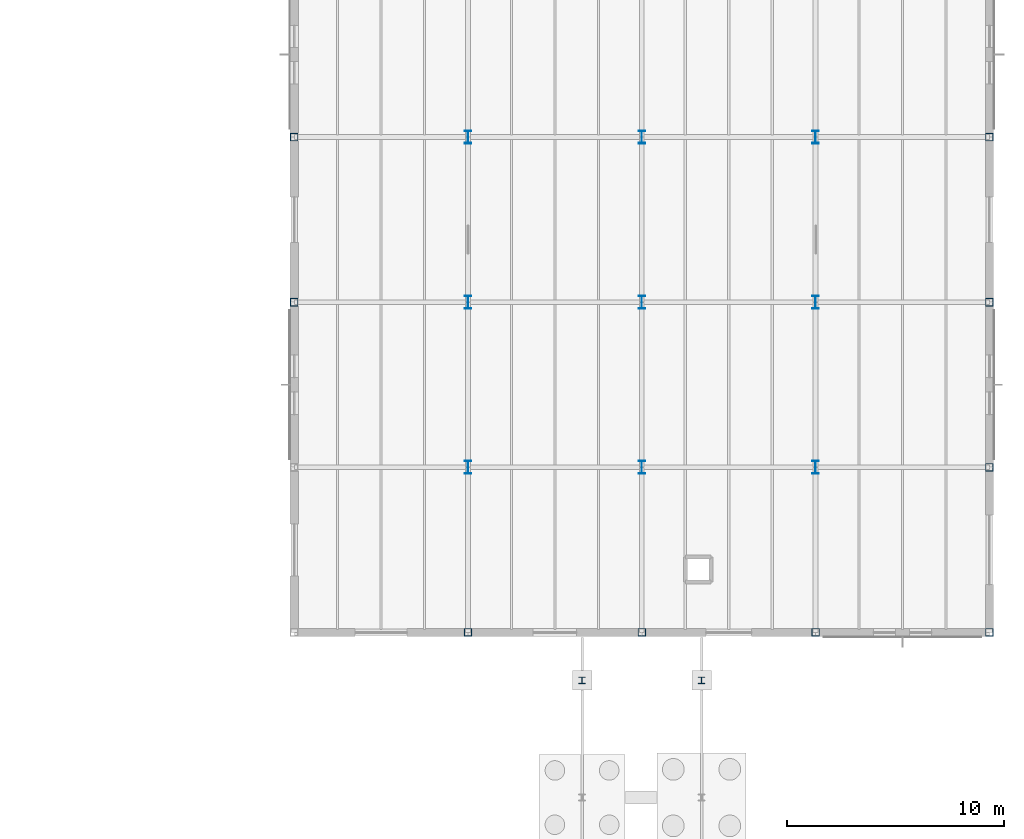
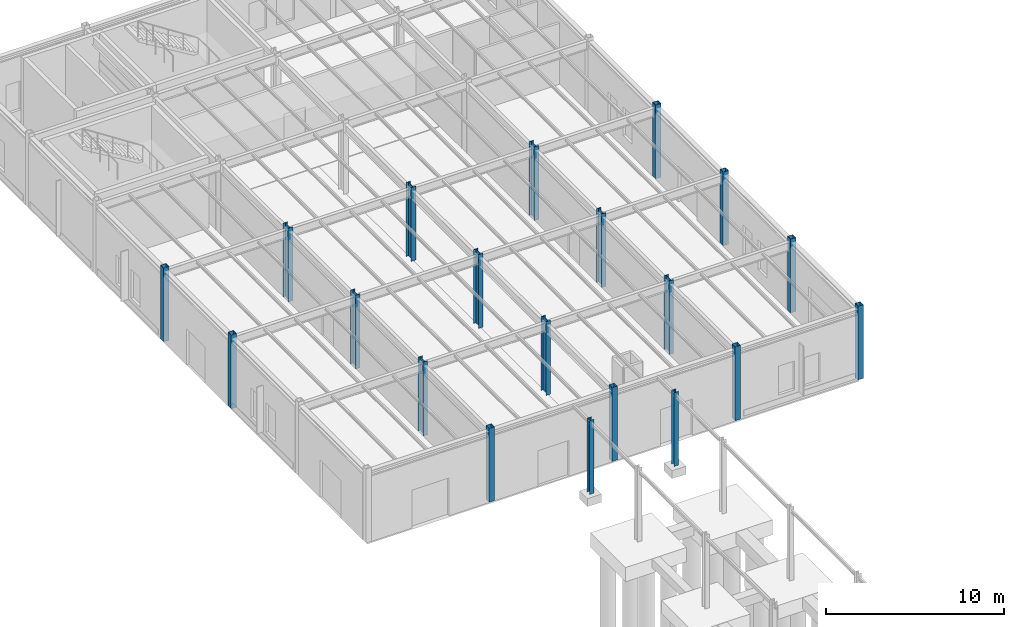
# One storey, part 24 of 109: 20 columns.
"""IFC4 building model written with IfcOpenShell, lengths in metres."""

import ifcopenshell
import ifcopenshell.guid

model = None  # the IFC model being written
_history = None  # IfcOwnerHistory: only IFC2X3 demands one
_inside = {}  # id of a spatial element -> (the spatial element, [elements in it])
_under = {}  # id of a project, library or spatial element -> (it, [spatial elements below it])
_declared = {}  # id of a project -> (the project, [libraries it declares])
_typed = {}  # id of a type object -> (the type object, [elements of that type])
_made_of = {}  # id of a material, layer set ... -> (it, [elements and type objects made of it])


def new_model(schema):
    """Start an empty IFC model of exactly this schema.

    Asked for "IFC4X3", IfcOpenShell would pick the latest addendum, in which some entities
    have other attributes; the version numbers below select the first issue.
    IFC2X3 requires an IfcOwnerHistory on every rooted entity: one is made here for all.
    """
    global model, _history
    if schema == "IFC4X3":
        model = ifcopenshell.file(schema_version=(4, 3, 0, 0))
    else:
        model = ifcopenshell.file(schema=schema)
    _inside.clear()
    _under.clear()
    _declared.clear()
    _typed.clear()
    _made_of.clear()
    _history = None
    if model.schema == "IFC2X3":
        org = make("IfcOrganization", Name="unknown")
        user = make(
            "IfcPersonAndOrganization",
            ThePerson=make("IfcPerson", FamilyName="unknown"),
            TheOrganization=org,
        )
        app = make(
            "IfcApplication",
            ApplicationDeveloper=org,
            Version="unknown",
            ApplicationFullName="unknown",
            ApplicationIdentifier="unknown",
        )
        _history = make(
            "IfcOwnerHistory",
            OwningUser=user,
            OwningApplication=app,
            ChangeAction="ADDED",
            CreationDate=0,
        )
    return model


def make(cls, **values):
    """One entity of the class cls with the attributes given. An attribute that is None is left unset."""
    return model.create_entity(
        cls, **{name: value for name, value in values.items() if value is not None}
    )


def rooted(cls, **values):
    """An entity with a GlobalId (a new one), such as an element, a storey or a relation."""
    return make(cls, GlobalId=ifcopenshell.guid.new(), OwnerHistory=_history, **values)


def si_unit(unit_type, name, prefix=None):
    """IfcSIUnit, for example si_unit("LENGTHUNIT", "METRE", prefix="MILLI")."""
    return make("IfcSIUnit", UnitType=unit_type, Prefix=prefix, Name=name)


def assignment(units):
    """IfcUnitAssignment: the units of a project."""
    return None if units is None else make("IfcUnitAssignment", Units=units)


def point(xyz):
    """IfcCartesianPoint."""
    return None if xyz is None else make("IfcCartesianPoint", Coordinates=xyz)


def direction(xyz):
    """IfcDirection."""
    return None if xyz is None else make("IfcDirection", DirectionRatios=xyz)


def frame(location, z_axis=None, x_axis=None):
    """IfcAxis2Placement3D, a coordinate frame: its origin and axes. An axis left out is left unset."""
    return make(
        "IfcAxis2Placement3D",
        Location=point(location),
        Axis=direction(z_axis),
        RefDirection=direction(x_axis),
    )


def frame_2d(location, x_axis=None):
    """IfcAxis2Placement2D, a coordinate frame in the plane: its origin and x axis."""
    return make(
        "IfcAxis2Placement2D", Location=point(location), RefDirection=direction(x_axis)
    )


def origin():
    """The frame at (0, 0, 0) with its axes left unset."""
    return frame((0.0, 0.0, 0.0))


def origin_2d():
    """The frame at (0, 0) in the plane with its x axis left unset."""
    return frame_2d((0.0, 0.0))


def place(relative_to, where):
    """IfcLocalPlacement: puts the frame where relative to a parent placement (None: the world)."""
    return make(
        "IfcLocalPlacement", PlacementRelTo=relative_to, RelativePlacement=where
    )


def context(
    kind, dimensions, precision=None, world=None, true_north=None, identifier=None
):
    """IfcGeometricRepresentationContext, for example the 3D "Model" context."""
    return make(
        "IfcGeometricRepresentationContext",
        ContextIdentifier=identifier,
        ContextType=kind,
        CoordinateSpaceDimension=dimensions,
        Precision=precision,
        WorldCoordinateSystem=world,
        TrueNorth=true_north,
    )


def subcontext(parent, identifier, kind, view, scale=None):
    """IfcGeometricRepresentationSubContext, for example "Body" below "Model"."""
    return make(
        "IfcGeometricRepresentationSubContext",
        ContextIdentifier=identifier,
        ContextType=kind,
        ParentContext=parent,
        TargetScale=scale,
        TargetView=view,
    )


def project(units=None, contexts=None):
    """IfcProject with its units and contexts."""
    return rooted(
        "IfcProject",
        Name="project",
        RepresentationContexts=contexts,
        UnitsInContext=assignment(units),
    )


def spatial(cls, under=None, at=None, **own):
    """A site, building, storey or space (cls), placed at a placement, below another one or the project."""
    s = rooted(cls, ObjectPlacement=at, **own)
    if under is not None:
        _under.setdefault(under.id(), (under, []))[1].append(s)
    return s


def profile(cls, at=None, kind="AREA", **sizes):
    """A parametric profile (cls). Its sizes go by their IFC names, for example OverallWidth=200.0."""
    return make(cls, ProfileType=kind, Position=at, **sizes)


def hollow_rectangle(**sizes):
    """IfcRectangleHollowProfileDef."""
    return profile("IfcRectangleHollowProfileDef", **sizes)


def i_section(**sizes):
    """IfcIShapeProfileDef."""
    return profile("IfcIShapeProfileDef", **sizes)


def extrude(swept, where, along, depth):
    """IfcExtrudedAreaSolid: the profile swept, set in the frame where, extruded along a direction by depth."""
    return make(
        "IfcExtrudedAreaSolid",
        SweptArea=swept,
        Position=where,
        ExtrudedDirection=direction(along),
        Depth=depth,
    )


def shape(context_of_items, identifier, shape_type, items):
    """IfcShapeRepresentation: the items that make up one representation, for example the "Body"."""
    return make(
        "IfcShapeRepresentation",
        ContextOfItems=context_of_items,
        RepresentationIdentifier=identifier,
        RepresentationType=shape_type,
        Items=items,
    )


def material(Name=None, Category=None):
    """IfcMaterial."""
    return make("IfcMaterial", Name=Name, Category=Category)


def material_profile(
    of_material, cross_section, Name=None, Category=None, Priority=None
):
    """IfcMaterialProfile: a cross section and its material."""
    return make(
        "IfcMaterialProfile",
        Name=Name,
        Material=of_material,
        Profile=cross_section,
        Priority=Priority,
        Category=Category,
    )


def profile_set(profiles, Name=None, composite=None):
    """IfcMaterialProfileSet."""
    return make(
        "IfcMaterialProfileSet",
        Name=Name,
        MaterialProfiles=profiles,
        CompositeProfile=composite,
    )


def made_of(thing, what):
    """Note that an element or type object is made of a material, layer set ...; save() writes the relation."""
    if what is not None:
        _made_of.setdefault(what.id(), (what, []))[1].append(thing)
    return thing


def type_object(cls, material=None, **own):
    """A type object (cls), such as IfcWallType, which elements share."""
    return made_of(rooted(cls, **own), material)


def element(
    cls,
    number,
    at=None,
    inside=None,
    cuts=None,
    type_object=None,
    material=None,
    context=None,
    identifier="Body",
    shape_type=None,
    held_by="IfcProductDefinitionShape",
    body=None,
    shapes=None,
    **own,
):
    """One element of the class cls, such as IfcWall. Its Tag is "e" and its number.

    at: its placement. inside: the storey or other place that contains it. cuts: it is an
    opening in that element (IfcRelVoidsElement). A single representation is given by context,
    identifier, shape_type and body (its items); several are given by shapes. held_by: the class
    of the entity that holds the representations. save() writes the other relations.
    """
    e = rooted(cls, Tag="e%d" % number, ObjectPlacement=at, **own)
    if body is not None:
        shapes = [shape(context, identifier, shape_type, body)]
    if shapes is not None:
        e.Representation = make(held_by, Representations=shapes)
    if inside is not None:
        _inside.setdefault(inside.id(), (inside, []))[1].append(e)
    if cuts is not None:
        rooted(
            "IfcRelVoidsElement", RelatingBuildingElement=cuts, RelatedOpeningElement=e
        )
    if type_object is not None:
        _typed.setdefault(type_object.id(), (type_object, []))[1].append(e)
    return made_of(e, material)


def aggregate(whole, parts):
    """IfcRelAggregates: a whole, such as a stair, and the parts it consists of."""
    return rooted("IfcRelAggregates", RelatingObject=whole, RelatedObjects=parts)


def save(model, path):
    """Write the relations noted so far, then the file.

    IfcRelAggregates (storeys below a building ...), IfcRelContainedInSpatialStructure (elements
    in a storey), IfcRelDefinesByType, IfcRelAssociatesMaterial and IfcRelDeclares: one each for
    every whole, place, type object, material and project.
    """
    for whole, parts in _under.values():
        aggregate(whole, parts)
    for where, things in _inside.values():
        rooted(
            "IfcRelContainedInSpatialStructure",
            RelatedElements=things,
            RelatingStructure=where,
        )
    for kind, things in _typed.values():
        rooted("IfcRelDefinesByType", RelatedObjects=things, RelatingType=kind)
    for what, things in _made_of.values():
        rooted("IfcRelAssociatesMaterial", RelatedObjects=things, RelatingMaterial=what)
    for by, libraries in _declared.values():
        rooted("IfcRelDeclares", RelatingContext=by, RelatedDefinitions=libraries)
    model.write(path)


model = new_model("IFC4")

# Units and contexts
model_context = context("Model", 3, precision=1e-05, world=origin(), true_north=direction((0.0, 1.0)))
body_context = subcontext(model_context, "Body", "Model", "MODEL_VIEW")
ifc_project = project(units=[si_unit("LENGTHUNIT", "METRE"), si_unit("AREAUNIT", "SQUARE_METRE"), si_unit("VOLUMEUNIT", "CUBIC_METRE"), si_unit("PLANEANGLEUNIT", "RADIAN"), si_unit("MASSUNIT", "GRAM", prefix="KILO")], contexts=[model_context])

# Site, building, storey
site_placement = place(None, origin())
site = spatial("IfcSite", under=ifc_project, at=site_placement, CompositionType="ELEMENT")
building_placement = place(site_placement, origin())
building = spatial("IfcBuilding", under=site, at=building_placement, Name="Montecoro Central Library", CompositionType="ELEMENT")
storey_placement = place(building_placement, origin())
storey = spatial("IfcBuildingStorey", under=building, at=storey_placement, Name="L00", CompositionType="ELEMENT", Elevation=0.0)

# Columns
ifc_material_1 = material(Name="Steel S355", Category="steel")
ifc_material_profile_1 = material_profile(ifc_material_1, i_section(OverallWidth=0.300048828125, OverallDepth=0.300048828125, WebThickness=0.010986328125, FlangeThickness=0.01904296875, at=origin_2d()), Name="HEB 300")
ifc_profile_set_1 = profile_set([ifc_material_profile_1], Name="Steel S355")
column_type_1 = type_object("IfcColumnType", Name="COL-HEB300", PredefinedType="COLUMN", material=ifc_profile_set_1)
for number, where, z_axis, x_axis, name in (
    (1, (154.25, 71.199951171875, 0.0), (0.0, 0.0, 1.0), (1.0, 0.0, 0.0), "BR-E-L00-COL-1542-712"),
    (2, (159.75, 71.199951171875, 0.0), (0.0, 0.0, 1.0), (1.0, 0.0, 0.0), "BR-E-L00-COL-1597-712"),
):
    element("IfcColumn", number, at=place(storey_placement, frame(where, z_axis=z_axis, x_axis=x_axis)), inside=storey, type_object=column_type_1, Name=name, PredefinedType="COLUMN", context=body_context, shape_type="SweptSolid", body=[
        extrude(i_section(OverallWidth=0.300048828125, OverallDepth=0.300048828125, WebThickness=0.010986328125, FlangeThickness=0.01904296875, at=origin_2d()), origin(), (0.0, 0.0, 1.0), 5.074951171875),
    ])
ifc_material_2 = material(Name="Steel S355J2", Category="steel")
ifc_material_profile_2 = material_profile(ifc_material_2, i_section(OverallWidth=0.300048828125, OverallDepth=0.60009765625, WebThickness=0.015380859375, FlangeThickness=0.030029296875, at=origin_2d()), Name="HEB 600")
ifc_profile_set_2 = profile_set([ifc_material_profile_2], Name="Steel S355J2")
column_type_2 = type_object("IfcColumnType", Name="COL-HEB600", PredefinedType="COLUMN", material=ifc_profile_set_2)
for number, where, z_axis, x_axis, name in (
    (3, (149.0, 81.0, 0.0), (0.0, 0.0, 1.0), (1.0, 0.0, 0.0), "V5-L00-COL-19-L"),
    (4, (149.0, 88.60009765625, 0.0), (0.0, 0.0, 1.0), (1.0, 0.0, 0.0), "V5-L00-COL-19-M"),
    (5, (149.0, 96.199951171875, 0.0), (0.0, 0.0, 1.0), (1.0, 0.0, 0.0), "V5-L00-COL-19-N"),
    (6, (157.0, 81.0, 0.0), (0.0, 0.0, 1.0), (1.0, 0.0, 0.0), "V5-L00-COL-20-L"),
    (7, (157.0, 88.60009765625, 0.0), (0.0, 0.0, 1.0), (1.0, 0.0, 0.0), "V5-L00-COL-20-M"),
    (8, (157.0, 96.199951171875, 0.0), (0.0, 0.0, 1.0), (1.0, 0.0, 0.0), "V5-L00-COL-20-N"),
    (9, (165.0, 81.0, 0.0), (0.0, 0.0, 1.0), (1.0, 0.0, 0.0), "V5-L00-COL-21-L"),
    (10, (165.0, 88.60009765625, 0.0), (0.0, 0.0, 1.0), (1.0, 0.0, 0.0), "V5-L00-COL-21-M"),
    (11, (165.0, 96.199951171875, 0.0), (0.0, 0.0, 1.0), (1.0, 0.0, 0.0), "V5-L00-COL-21-N"),
):
    element("IfcColumn", number, at=place(storey_placement, frame(where, z_axis=z_axis, x_axis=x_axis)), inside=storey, type_object=column_type_2, Name=name, PredefinedType="COLUMN", context=body_context, shape_type="SweptSolid", body=[
        extrude(i_section(OverallWidth=0.300048828125, OverallDepth=0.60009765625, WebThickness=0.015380859375, FlangeThickness=0.030029296875, at=origin_2d()), origin(), (0.0, 0.0, 1.0), 5.074951171875),
    ])
ifc_material_profile_3 = material_profile(ifc_material_2, hollow_rectangle(XDim=0.35009765625, YDim=0.35009765625, WallThickness=0.01416015625, at=origin_2d()), Name="SHS 350x350x14.2")
ifc_profile_set_3 = profile_set([ifc_material_profile_3], Name="Steel S355J2")
column_type_3 = type_object("IfcColumnType", Name="COL-SHS350", PredefinedType="COLUMN", material=ifc_profile_set_3)
for number, where, z_axis, x_axis, name in (
    (12, (141.0, 88.60009765625, 0.0), (0.0, 0.0, 1.0), (1.0, 0.0, 0.0), "V5-L00-COL-18-M"),
    (13, (141.0, 96.199951171875, 0.0), (0.0, 0.0, 1.0), (1.0, 0.0, 0.0), "V5-L00-COL-18-N"),
    (14, (149.0, 73.39990234375, 0.0), (0.0, 0.0, 1.0), (1.0, 0.0, 0.0), "V5-L00-COL-19-K"),
    (15, (157.0, 73.39990234375, 0.0), (0.0, 0.0, 1.0), (1.0, 0.0, 0.0), "V5-L00-COL-20-K"),
    (16, (165.0, 73.39990234375, 0.0), (0.0, 0.0, 1.0), (1.0, 0.0, 0.0), "V5-L00-COL-21-K"),
    (17, (173.0, 73.39990234375, 0.0), (0.0, 0.0, 1.0), (1.0, 0.0, 0.0), "V5-L00-COL-22-K"),
    (18, (173.0, 81.0, 0.0), (0.0, 0.0, 1.0), (1.0, 0.0, 0.0), "V5-L00-COL-22-L"),
    (19, (173.0, 88.60009765625, 0.0), (0.0, 0.0, 1.0), (1.0, 0.0, 0.0), "V5-L00-COL-22-M"),
    (20, (173.0, 96.199951171875, 0.0), (0.0, 0.0, 1.0), (1.0, 0.0, 0.0), "V5-L00-COL-22-N"),
):
    element("IfcColumn", number, at=place(storey_placement, frame(where, z_axis=z_axis, x_axis=x_axis)), inside=storey, type_object=column_type_3, Name=name, PredefinedType="COLUMN", context=body_context, shape_type="SweptSolid", body=[
        extrude(hollow_rectangle(XDim=0.35009765625, YDim=0.35009765625, WallThickness=0.01416015625, at=origin_2d()), origin(), (0.0, 0.0, 1.0), 5.074951171875),
    ])

save(model, "model.ifc")
